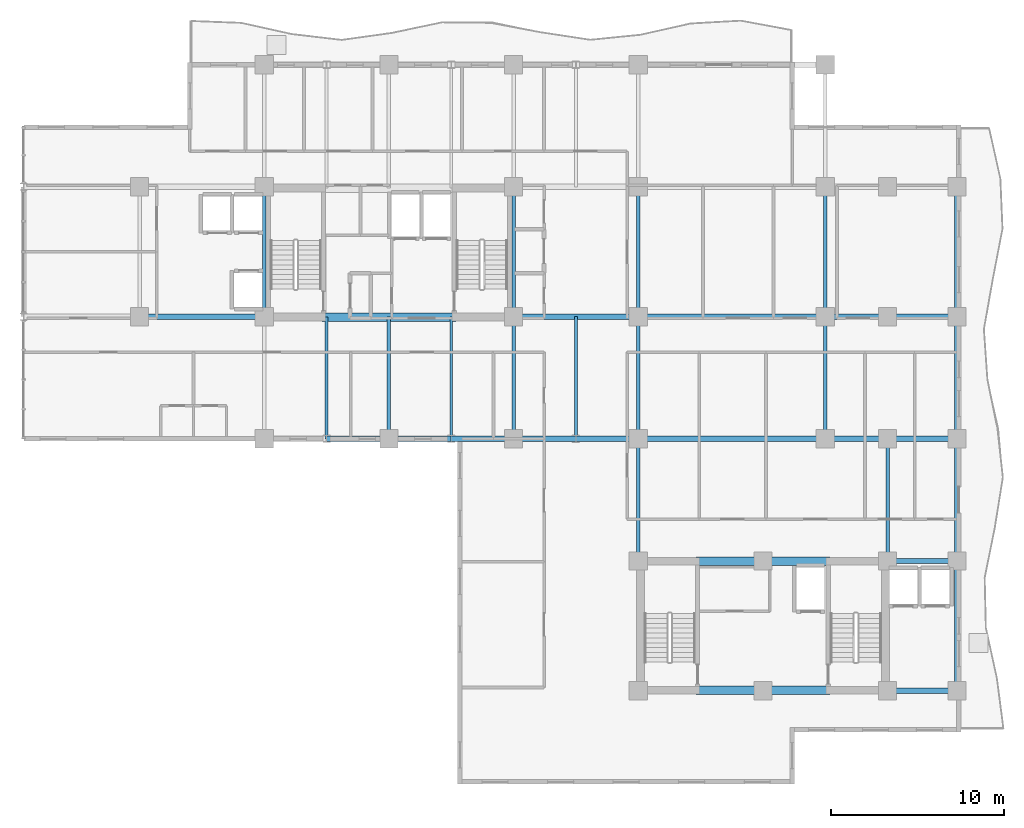
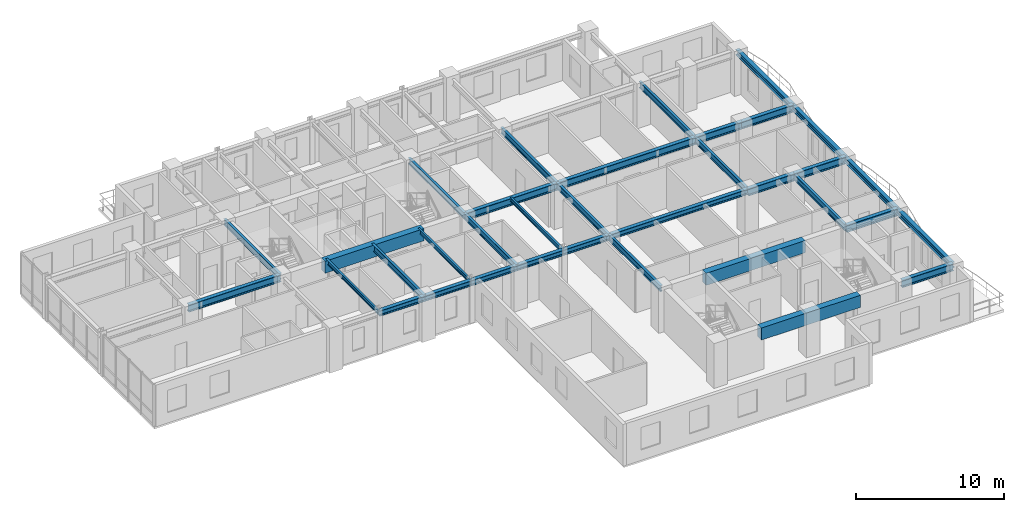
# One storey, part 6 of 18: 35 beams.
"""IFC4 building model written with IfcOpenShell, lengths in metres."""

from ifc_helpers import new_model, si_unit, direction, frame, origin, origin_2d, place, context, subcontext, project, spatial, rectangle, i_section, extrude, source, transform, mapped, material, material_profile, profile_set, type_object, element, save


model = new_model("IFC4")

# Units and contexts
model_context = context("Model", 3, precision=1e-05, world=origin(), true_north=direction((0.0, 1.0)))
body_context = subcontext(model_context, "Body", "Model", "MODEL_VIEW")
ifc_project = project(units=[si_unit("LENGTHUNIT", "METRE"), si_unit("AREAUNIT", "SQUARE_METRE"), si_unit("VOLUMEUNIT", "CUBIC_METRE"), si_unit("PLANEANGLEUNIT", "RADIAN"), si_unit("MASSUNIT", "GRAM", prefix="KILO")], contexts=[model_context])

# Site, building, storey
site_placement = place(None, origin())
site = spatial("IfcSite", under=ifc_project, at=site_placement, CompositionType="ELEMENT")
building_placement = place(site_placement, origin())
building = spatial("IfcBuilding", under=site, at=building_placement, Name="Kaliganga Portal Commons", CompositionType="ELEMENT")
storey_placement = place(building_placement, frame((0.0, 0.0, 169.800048828125)))
storey = spatial("IfcBuildingStorey", under=building, at=storey_placement, Name="L43", CompositionType="ELEMENT", Elevation=169.800048828125)

# Beams
ifc_material_1 = material(Name="Concrete C50/60", Category="concrete")
ifc_material_profile_1 = material_profile(ifc_material_1, rectangle(XDim=0.5, YDim=1.0, at=origin_2d()), Name="RC 500x1000")
ifc_profile_set_1 = profile_set([ifc_material_profile_1], Name="Concrete C50/60")
beam_type_1 = type_object("IfcBeamType", Name="BM-CPL-1000", PredefinedType="LINTEL", material=ifc_profile_set_1)
shared_shape_1 = source(origin(), body_context, "Body", "SweptSolid", [
    extrude(rectangle(XDim=0.5, YDim=1.0, at=origin_2d()), origin(), (0.0, 0.0, 1.0), 7.739990234375),
])
for number, where, z_axis, x_axis, name in (
    (1, (17.72998046875, 28.625, 2.9599609375), (1.0, 0.0, 0.0), (0.0, 1.0, 0.0), "BM CPL COREA L43 S"),
    (2, (39.330078125, 7.074951171875, 2.9599609375), (1.0, 0.0, 0.0), (0.0, 1.0, 0.0), "BM CPL COREB L43 S"),
    (3, (39.330078125, 14.52490234375, 2.9599609375), (1.0, 0.0, 0.0), (0.0, 1.0, 0.0), "BM CPL COREB L43 N"),
):
    element("IfcBeam", number, at=place(storey_placement, frame(where, z_axis=z_axis, x_axis=x_axis)), inside=storey, type_object=beam_type_1, Name=name, PredefinedType="LINTEL", context=body_context, shape_type="MappedRepresentation", body=[
        mapped(shared_shape_1, transform((0.0, 0.0, 0.0), x_axis=(1.0, 0.0, 0.0), y_axis=(0.0, 1.0, 0.0), z_axis=(0.0, 0.0, 1.0), scale=1.0)),
    ])
ifc_material_2 = material(Name="Structural steel S355J2", Category="steel")
ifc_material_profile_2 = material_profile(ifc_material_2, i_section(OverallWidth=0.199951171875, OverallDepth=0.5, WebThickness=0.01025390625, FlangeThickness=0.01611328125, FilletRadius=0.02099609375, at=origin_2d()), Name="IPE 500")
ifc_profile_set_2 = profile_set([ifc_material_profile_2], Name="Structural steel S355J2 wide-flange")
beam_type_2 = type_object("IfcBeamType", Name="BM-FLR-500", PredefinedType="BEAM", material=ifc_profile_set_2)
shared_shape_2 = source(origin(), body_context, "Body", "SweptSolid", [
    extrude(i_section(OverallWidth=0.199951171875, OverallDepth=0.5, WebThickness=0.01025390625, FlangeThickness=0.01611328125, FilletRadius=0.02099609375, at=origin_2d()), origin(), (0.0, 0.0, 1.0), 7.5),
])
for number, where, z_axis, x_axis, name in (
    (4, (14.39990234375, 28.64990234375, 3.2099609375), (0.0, 1.0, 0.0), (-1.0, 0.0, 0.0), "BM G L43 AM144"),
    (5, (28.800048828125, 28.64990234375, 3.2099609375), (0.0, 1.0, 0.0), (-1.0, 0.0, 0.0), "BM G L43 AM288"),
    (6, (36.0, 28.64990234375, 3.2099609375), (0.0, 1.0, 0.0), (-1.0, 0.0, 0.0), "BM G L43 AM360"),
    (7, (46.800048828125, 28.64990234375, 3.2099609375), (0.0, 1.0, 0.0), (-1.0, 0.0, 0.0), "BM G L43 AM468"),
):
    element("IfcBeam", number, at=place(storey_placement, frame(where, z_axis=z_axis, x_axis=x_axis)), inside=storey, type_object=beam_type_2, Name=name, PredefinedType="BEAM", context=body_context, shape_type="MappedRepresentation", body=[
        mapped(shared_shape_2, transform((0.0, 0.0, 0.0), x_axis=(1.0, 0.0, 0.0), y_axis=(0.0, 1.0, 0.0), z_axis=(0.0, 0.0, 1.0), scale=1.0)),
    ])
shared_shape_3 = source(origin(), body_context, "Body", "SweptSolid", [
    extrude(i_section(OverallWidth=0.199951171875, OverallDepth=0.5, WebThickness=0.01025390625, FlangeThickness=0.01611328125, FilletRadius=0.02099609375, at=origin_2d()), origin(), (0.0, 0.0, 1.0), 7.050048828125),
])
for number, where, z_axis, x_axis, name in (
    (8, (36.0, 14.550048828125, 3.2099609375), (0.0, 1.0, 0.0), (-1.0, 0.0, 0.0), "BM G L43 BNK360"),
    (9, (50.39990234375, 14.550048828125, 3.2099609375), (0.0, 1.0, 0.0), (-1.0, 0.0, 0.0), "BM G L43 BNK504"),
):
    element("IfcBeam", number, at=place(storey_placement, frame(where, z_axis=z_axis, x_axis=x_axis)), inside=storey, type_object=beam_type_2, Name=name, PredefinedType="BEAM", context=body_context, shape_type="MappedRepresentation", body=[
        mapped(shared_shape_3, transform((0.0, 0.0, 0.0), x_axis=(1.0, 0.0, 0.0), y_axis=(0.0, 1.0, 0.0), z_axis=(0.0, 0.0, 1.0), scale=1.0)),
    ])
shared_shape_4 = source(origin(), body_context, "Body", "SweptSolid", [
    extrude(i_section(OverallWidth=0.199951171875, OverallDepth=0.5, WebThickness=0.01025390625, FlangeThickness=0.01611328125, FilletRadius=0.02099609375, at=origin_2d()), origin(), (0.0, 0.0, 1.0), 7.0498046875),
])
for number, where, z_axis, x_axis, name in (
    (10, (28.800048828125, 21.60009765625, 3.2099609375), (0.0, 1.0, 0.0), (-1.0, 0.0, 0.0), "BM G L43 AS288"),
    (11, (36.0, 21.60009765625, 3.2099609375), (0.0, 1.0, 0.0), (-1.0, 0.0, 0.0), "BM G L43 AS360"),
    (12, (46.800048828125, 21.60009765625, 3.2099609375), (0.0, 1.0, 0.0), (-1.0, 0.0, 0.0), "BM G L43 AS468"),
):
    element("IfcBeam", number, at=place(storey_placement, frame(where, z_axis=z_axis, x_axis=x_axis)), inside=storey, type_object=beam_type_2, Name=name, PredefinedType="BEAM", context=body_context, shape_type="MappedRepresentation", body=[
        mapped(shared_shape_4, transform((0.0, 0.0, 0.0), x_axis=(1.0, 0.0, 0.0), y_axis=(0.0, 1.0, 0.0), z_axis=(0.0, 0.0, 1.0), scale=1.0)),
    ])
ifc_material_profile_3 = material_profile(ifc_material_2, i_section(OverallWidth=0.300048828125, OverallDepth=0.449951171875, WebThickness=0.013916015625, FlangeThickness=0.02587890625, FilletRadius=0.027099609375, at=origin_2d()), Name="HE 450 B")
ifc_profile_set_3 = profile_set([ifc_material_profile_3], Name="Structural steel S355J2 wide-flange")
beam_type_3 = type_object("IfcBeamType", Name="BM-SPAND-450", PredefinedType="SPANDREL", material=ifc_profile_set_3)
shared_shape_5 = source(origin(), body_context, "Body", "SweptSolid", [
    extrude(i_section(OverallWidth=0.300048828125, OverallDepth=0.449951171875, WebThickness=0.013916015625, FlangeThickness=0.02587890625, FilletRadius=0.027099609375, at=origin_2d()), origin(), (0.0, 0.0, 1.0), 3.60009765625),
])
for number, where, z_axis, x_axis, name in (
    (13, (18.0, 21.60009765625, 3.23486328125), (1.0, 0.0, 0.0), (0.0, 1.0, 0.0), "BM SP L43 AS 2"),
    (14, (25.199951171875, 21.60009765625, 3.23486328125), (1.0, 0.0, 0.0), (0.0, 1.0, 0.0), "BM SP L43 AS 4"),
    (15, (32.39990234375, 21.60009765625, 3.23486328125), (1.0, 0.0, 0.0), (0.0, 1.0, 0.0), "BM SP L43 AS 6"),
):
    element("IfcBeam", number, at=place(storey_placement, frame(where, z_axis=z_axis, x_axis=x_axis)), inside=storey, type_object=beam_type_3, Name=name, PredefinedType="SPANDREL", context=body_context, shape_type="MappedRepresentation", body=[
        mapped(shared_shape_5, transform((0.0, 0.0, 0.0), x_axis=(1.0, 0.0, 0.0), y_axis=(0.0, 1.0, 0.0), z_axis=(0.0, 0.0, 1.0), scale=1.0)),
    ])
shared_shape_6 = source(origin(), body_context, "Body", "SweptSolid", [
    extrude(i_section(OverallWidth=0.300048828125, OverallDepth=0.449951171875, WebThickness=0.013916015625, FlangeThickness=0.02587890625, FilletRadius=0.027099609375, at=origin_2d()), origin(), (0.0, 0.0, 1.0), 3.599853515625),
])
for number, where, z_axis, x_axis, name in (
    (16, (21.60009765625, 21.60009765625, 3.23486328125), (1.0, 0.0, 0.0), (0.0, 1.0, 0.0), "BM SP L43 AS 3"),
    (17, (28.800048828125, 21.60009765625, 3.23486328125), (1.0, 0.0, 0.0), (0.0, 1.0, 0.0), "BM SP L43 AS 5"),
):
    element("IfcBeam", number, at=place(storey_placement, frame(where, z_axis=z_axis, x_axis=x_axis)), inside=storey, type_object=beam_type_3, Name=name, PredefinedType="SPANDREL", context=body_context, shape_type="MappedRepresentation", body=[
        mapped(shared_shape_6, transform((0.0, 0.0, 0.0), x_axis=(1.0, 0.0, 0.0), y_axis=(0.0, 1.0, 0.0), z_axis=(0.0, 0.0, 1.0), scale=1.0)),
    ])
shared_shape_7 = source(origin(), body_context, "Body", "SweptSolid", [
    extrude(i_section(OverallWidth=0.300048828125, OverallDepth=0.449951171875, WebThickness=0.013916015625, FlangeThickness=0.02587890625, FilletRadius=0.027099609375, at=origin_2d()), origin(), (0.0, 0.0, 1.0), 10.800048828125),
])
beam_1_placement = place(storey_placement, frame((36.0, 21.60009765625, 3.23486328125), z_axis=(1.0, 0.0, 0.0), x_axis=(0.0, 1.0, 0.0)))
element("IfcBeam", 18, at=beam_1_placement, inside=storey, type_object=beam_type_3, Name="BM SP L43 AS 7", PredefinedType="SPANDREL", context=body_context, shape_type="MappedRepresentation", body=[
    mapped(shared_shape_7, transform((0.0, 0.0, 0.0), x_axis=(1.0, 0.0, 0.0), y_axis=(0.0, 1.0, 0.0), z_axis=(0.0, 0.0, 1.0), scale=1.0)),
])
ifc_material_profile_4 = material_profile(ifc_material_2, i_section(OverallWidth=0.159912109375, OverallDepth=0.330078125, WebThickness=0.007568359375, FlangeThickness=0.011474609375, FilletRadius=0.01806640625, at=origin_2d()), Name="IPE 330")
ifc_profile_set_4 = profile_set([ifc_material_profile_4], Name="Structural steel S355J2 wide-flange")
beam_type_4 = type_object("IfcBeamType", Name="BM-JST-330", PredefinedType="JOIST", material=ifc_profile_set_4)
shared_shape_8 = source(origin(), body_context, "Body", "SweptSolid", [
    extrude(i_section(OverallWidth=0.159912109375, OverallDepth=0.330078125, WebThickness=0.007568359375, FlangeThickness=0.011474609375, FilletRadius=0.01806640625, at=origin_2d()), origin(), (0.0, 0.0, 1.0), 7.0498046875),
])
beam_2_placement = place(storey_placement, frame((32.39990234375, 21.60009765625, 3.294921875), z_axis=(0.0, 1.0, 0.0), x_axis=(-1.0, 0.0, 0.0)))
element("IfcBeam", 19, at=beam_2_placement, inside=storey, type_object=beam_type_4, Name="BM G L43 AS324", PredefinedType="JOIST", context=body_context, shape_type="MappedRepresentation", body=[
    mapped(shared_shape_8, transform((0.0, 0.0, 0.0), x_axis=(1.0, 0.0, 0.0), y_axis=(0.0, 1.0, 0.0), z_axis=(0.0, 0.0, 1.0), scale=1.0)),
])
shared_shape_9 = source(origin(), body_context, "Body", "SweptSolid", [
    extrude(i_section(OverallWidth=0.300048828125, OverallDepth=0.449951171875, WebThickness=0.013916015625, FlangeThickness=0.02587890625, FilletRadius=0.027099609375, at=origin_2d()), origin(), (0.0, 0.0, 1.0), 7.5),
])
for number, where, z_axis, x_axis, name in (
    (20, (54.39990234375, 7.050048828125, 3.23486328125), (0.0, 1.0, 0.0), (-1.0, 0.0, 0.0), "BM SP L43 BE 1"),
    (21, (54.39990234375, 28.64990234375, 3.23486328125), (0.0, 1.0, 0.0), (-1.0, 0.0, 0.0), "BM SP L43 BE 4"),
):
    element("IfcBeam", number, at=place(storey_placement, frame(where, z_axis=z_axis, x_axis=x_axis)), inside=storey, type_object=beam_type_3, Name=name, PredefinedType="SPANDREL", context=body_context, shape_type="MappedRepresentation", body=[
        mapped(shared_shape_9, transform((0.0, 0.0, 0.0), x_axis=(1.0, 0.0, 0.0), y_axis=(0.0, 1.0, 0.0), z_axis=(0.0, 0.0, 1.0), scale=1.0)),
    ])
shared_shape_10 = source(origin(), body_context, "Body", "SweptSolid", [
    extrude(i_section(OverallWidth=0.300048828125, OverallDepth=0.449951171875, WebThickness=0.013916015625, FlangeThickness=0.02587890625, FilletRadius=0.027099609375, at=origin_2d()), origin(), (0.0, 0.0, 1.0), 7.050048828125),
])
beam_3_placement = place(storey_placement, frame((54.39990234375, 14.550048828125, 3.23486328125), z_axis=(0.0, 1.0, 0.0), x_axis=(-1.0, 0.0, 0.0)))
element("IfcBeam", 22, at=beam_3_placement, inside=storey, type_object=beam_type_3, Name="BM SP L43 BE 2", PredefinedType="SPANDREL", context=body_context, shape_type="MappedRepresentation", body=[
    mapped(shared_shape_10, transform((0.0, 0.0, 0.0), x_axis=(1.0, 0.0, 0.0), y_axis=(0.0, 1.0, 0.0), z_axis=(0.0, 0.0, 1.0), scale=1.0)),
])
shared_shape_11 = source(origin(), body_context, "Body", "SweptSolid", [
    extrude(i_section(OverallWidth=0.300048828125, OverallDepth=0.449951171875, WebThickness=0.013916015625, FlangeThickness=0.02587890625, FilletRadius=0.027099609375, at=origin_2d()), origin(), (0.0, 0.0, 1.0), 7.0498046875),
])
beam_4_placement = place(storey_placement, frame((54.39990234375, 21.60009765625, 3.23486328125), z_axis=(0.0, 1.0, 0.0), x_axis=(-1.0, 0.0, 0.0)))
element("IfcBeam", 23, at=beam_4_placement, inside=storey, type_object=beam_type_3, Name="BM SP L43 BE 3", PredefinedType="SPANDREL", context=body_context, shape_type="MappedRepresentation", body=[
    mapped(shared_shape_11, transform((0.0, 0.0, 0.0), x_axis=(1.0, 0.0, 0.0), y_axis=(0.0, 1.0, 0.0), z_axis=(0.0, 0.0, 1.0), scale=1.0)),
])
ifc_material_profile_5 = material_profile(ifc_material_2, i_section(OverallWidth=0.300048828125, OverallDepth=0.60009765625, WebThickness=0.015380859375, FlangeThickness=0.030029296875, FilletRadius=0.027099609375, at=origin_2d()), Name="HE 600 B")
ifc_profile_set_5 = profile_set([ifc_material_profile_5], Name="Structural steel S355J2 wide-flange")
beam_type_5 = type_object("IfcBeamType", Name="BM-GIRD-600", PredefinedType="USERDEFINED", material=ifc_profile_set_5)
shared_shape_12 = source(origin(), body_context, "Body", "SweptSolid", [
    extrude(i_section(OverallWidth=0.300048828125, OverallDepth=0.60009765625, WebThickness=0.015380859375, FlangeThickness=0.030029296875, FilletRadius=0.027099609375, at=origin_2d()), origin(), (0.0, 0.0, 1.0), 7.199951171875),
])
for number, where, z_axis, x_axis, name in (
    (24, (7.199951171875, 28.64990234375, 3.159912109375), (1.0, 0.0, 0.0), (0.0, 1.0, 0.0), "BM G L43 WAH_S 2"),
    (25, (28.800048828125, 28.64990234375, 3.159912109375), (1.0, 0.0, 0.0), (0.0, 1.0, 0.0), "BM G L43 WAE_S 1"),
):
    element("IfcBeam", number, at=place(storey_placement, frame(where, z_axis=z_axis, x_axis=x_axis)), inside=storey, type_object=beam_type_5, Name=name, ObjectType="GIRDER", PredefinedType="USERDEFINED", context=body_context, shape_type="MappedRepresentation", body=[
        mapped(shared_shape_12, transform((0.0, 0.0, 0.0), x_axis=(1.0, 0.0, 0.0), y_axis=(0.0, 1.0, 0.0), z_axis=(0.0, 0.0, 1.0), scale=1.0)),
    ])
shared_shape_13 = source(origin(), body_context, "Body", "SweptSolid", [
    extrude(i_section(OverallWidth=0.300048828125, OverallDepth=0.60009765625, WebThickness=0.015380859375, FlangeThickness=0.030029296875, FilletRadius=0.027099609375, at=origin_2d()), origin(), (0.0, 0.0, 1.0), 10.800048828125),
])
beam_5_placement = place(storey_placement, frame((36.0, 28.64990234375, 3.159912109375), z_axis=(1.0, 0.0, 0.0), x_axis=(0.0, 1.0, 0.0)))
element("IfcBeam", 26, at=beam_5_placement, inside=storey, type_object=beam_type_5, Name="BM G L43 WAE_S 2", ObjectType="GIRDER", PredefinedType="USERDEFINED", context=body_context, shape_type="MappedRepresentation", body=[
    mapped(shared_shape_13, transform((0.0, 0.0, 0.0), x_axis=(1.0, 0.0, 0.0), y_axis=(0.0, 1.0, 0.0), z_axis=(0.0, 0.0, 1.0), scale=1.0)),
])
shared_shape_14 = source(origin(), body_context, "Body", "SweptSolid", [
    extrude(i_section(OverallWidth=0.159912109375, OverallDepth=0.330078125, WebThickness=0.007568359375, FlangeThickness=0.011474609375, FilletRadius=0.01806640625, at=origin_2d()), origin(), (0.0, 0.0, 1.0), 7.02490234375),
])
for number, where, z_axis, x_axis, name in (
    (27, (18.0, 21.60009765625, 3.294921875), (0.0, 1.0, 0.0), (-1.0, 0.0, 0.0), "BM G L43 AS180"),
    (28, (25.199951171875, 21.60009765625, 3.294921875), (0.0, 1.0, 0.0), (-1.0, 0.0, 0.0), "BM G L43 AS252"),
):
    element("IfcBeam", number, at=place(storey_placement, frame(where, z_axis=z_axis, x_axis=x_axis)), inside=storey, type_object=beam_type_4, Name=name, PredefinedType="JOIST", context=body_context, shape_type="MappedRepresentation", body=[
        mapped(shared_shape_14, transform((0.0, 0.0, 0.0), x_axis=(1.0, 0.0, 0.0), y_axis=(0.0, 1.0, 0.0), z_axis=(0.0, 0.0, 1.0), scale=1.0)),
    ])
shared_shape_15 = source(origin(), body_context, "Body", "SweptSolid", [
    extrude(i_section(OverallWidth=0.199951171875, OverallDepth=0.5, WebThickness=0.01025390625, FlangeThickness=0.01611328125, FilletRadius=0.02099609375, at=origin_2d()), origin(), (0.0, 0.0, 1.0), 7.02490234375),
])
beam_6_placement = place(storey_placement, frame((21.60009765625, 21.60009765625, 3.2099609375), z_axis=(0.0, 1.0, 0.0), x_axis=(-1.0, 0.0, 0.0)))
element("IfcBeam", 29, at=beam_6_placement, inside=storey, type_object=beam_type_2, Name="BM G L43 AS216", PredefinedType="BEAM", context=body_context, shape_type="MappedRepresentation", body=[
    mapped(shared_shape_15, transform((0.0, 0.0, 0.0), x_axis=(1.0, 0.0, 0.0), y_axis=(0.0, 1.0, 0.0), z_axis=(0.0, 0.0, 1.0), scale=1.0)),
])
shared_shape_16 = source(origin(), body_context, "Body", "SweptSolid", [
    extrude(i_section(OverallWidth=0.300048828125, OverallDepth=0.60009765625, WebThickness=0.015380859375, FlangeThickness=0.030029296875, FilletRadius=0.027099609375, at=origin_2d()), origin(), (0.0, 0.0, 1.0), 4.0),
])
for number, where, z_axis, x_axis, name in (
    (30, (50.39990234375, 7.050048828125, 3.159912109375), (1.0, 0.0, 0.0), (0.0, 1.0, 0.0), "BM G L43 BKE70 1"),
    (31, (50.39990234375, 14.550048828125, 3.159912109375), (1.0, 0.0, 0.0), (0.0, 1.0, 0.0), "BM G L43 BKE146 1"),
    (32, (50.39990234375, 21.60009765625, 3.159912109375), (1.0, 0.0, 0.0), (0.0, 1.0, 0.0), "BM G L43 BKE216 2"),
    (33, (50.39990234375, 28.64990234375, 3.159912109375), (1.0, 0.0, 0.0), (0.0, 1.0, 0.0), "BM G L43 BKE286 2"),
):
    element("IfcBeam", number, at=place(storey_placement, frame(where, z_axis=z_axis, x_axis=x_axis)), inside=storey, type_object=beam_type_5, Name=name, ObjectType="GIRDER", PredefinedType="USERDEFINED", context=body_context, shape_type="MappedRepresentation", body=[
        mapped(shared_shape_16, transform((0.0, 0.0, 0.0), x_axis=(1.0, 0.0, 0.0), y_axis=(0.0, 1.0, 0.0), z_axis=(0.0, 0.0, 1.0), scale=1.0)),
    ])
shared_shape_17 = source(origin(), body_context, "Body", "SweptSolid", [
    extrude(i_section(OverallWidth=0.300048828125, OverallDepth=0.60009765625, WebThickness=0.015380859375, FlangeThickness=0.030029296875, FilletRadius=0.027099609375, at=origin_2d()), origin(), (0.0, 0.0, 1.0), 3.599853515625),
])
for number, where, z_axis, x_axis, name in (
    (34, (46.800048828125, 21.60009765625, 3.159912109375), (1.0, 0.0, 0.0), (0.0, 1.0, 0.0), "BM G L43 BKE216 1"),
    (35, (46.800048828125, 28.64990234375, 3.159912109375), (1.0, 0.0, 0.0), (0.0, 1.0, 0.0), "BM G L43 BKE286 1"),
):
    element("IfcBeam", number, at=place(storey_placement, frame(where, z_axis=z_axis, x_axis=x_axis)), inside=storey, type_object=beam_type_5, Name=name, ObjectType="GIRDER", PredefinedType="USERDEFINED", context=body_context, shape_type="MappedRepresentation", body=[
        mapped(shared_shape_17, transform((0.0, 0.0, 0.0), x_axis=(1.0, 0.0, 0.0), y_axis=(0.0, 1.0, 0.0), z_axis=(0.0, 0.0, 1.0), scale=1.0)),
    ])

save(model, "model.ifc")
